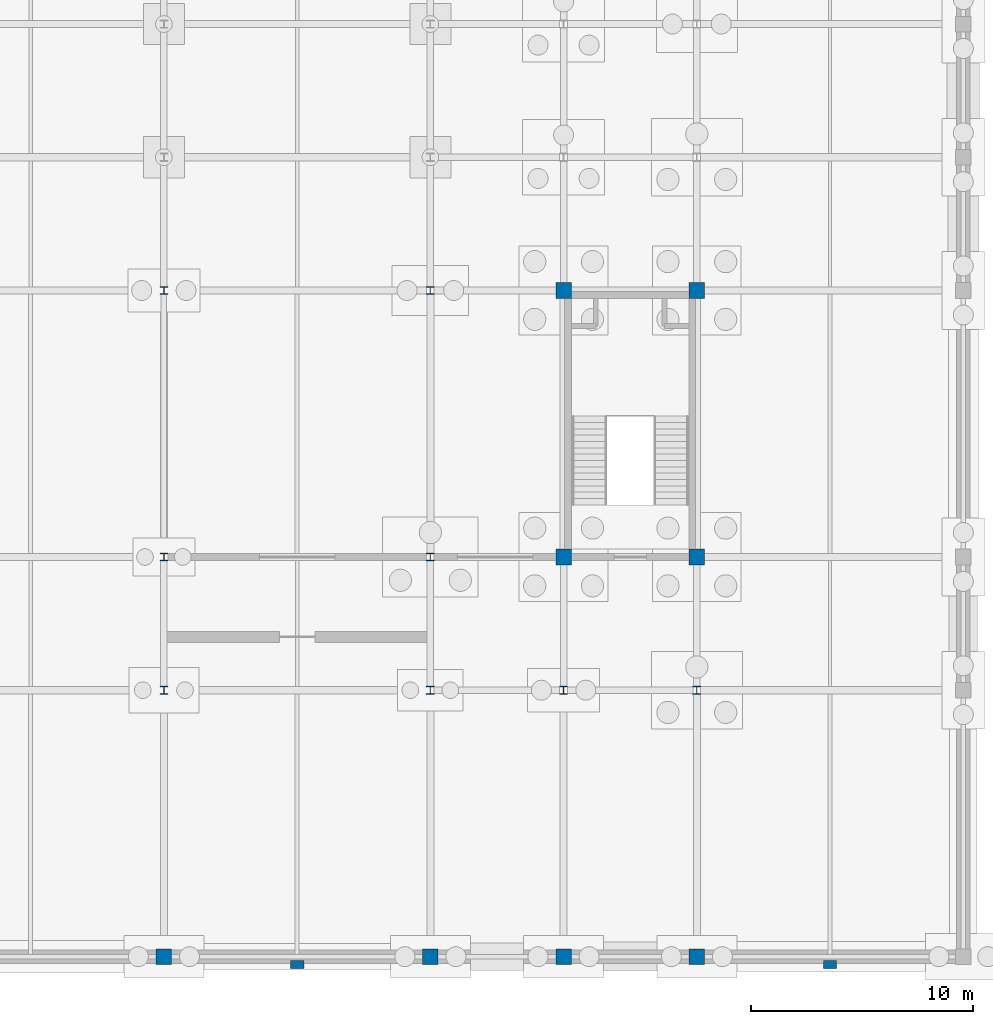
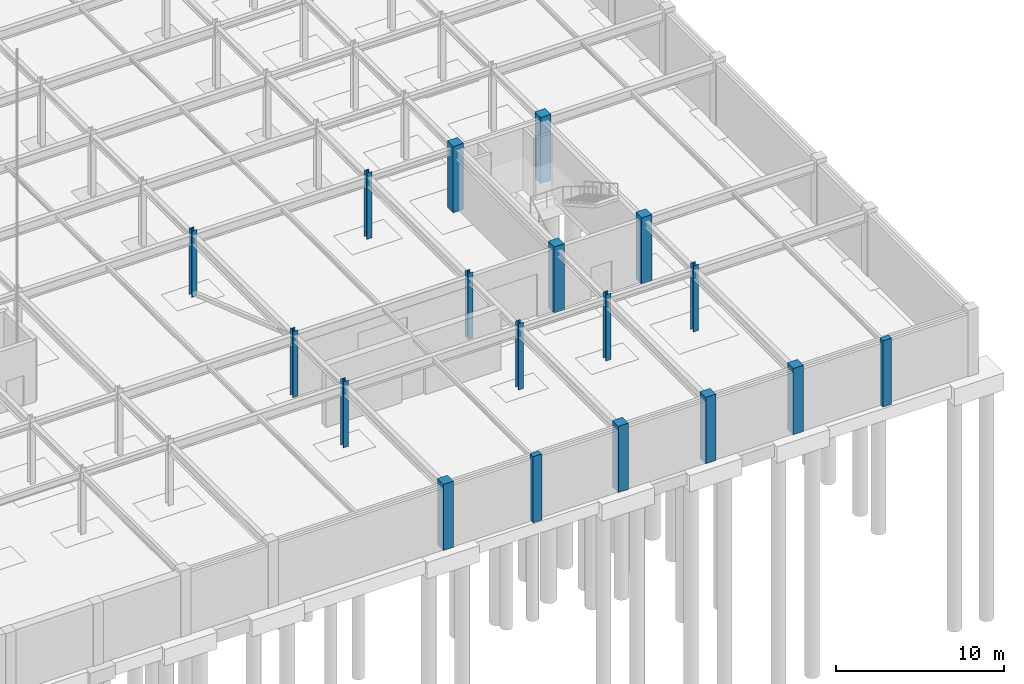
# One storey, part 29 of 69: 18 columns.
"""IFC4 building model written with IfcOpenShell, lengths in metres."""

from ifc_helpers import new_model, si_unit, direction, frame, origin, origin_2d, place, context, subcontext, project, spatial, rectangle, i_section, extrude, material, material_profile, profile_set, type_object, element, save


model = new_model("IFC4")

# Units and contexts
model_context = context("Model", 3, precision=1e-05, world=origin(), true_north=direction((0.0, 1.0)))
body_context = subcontext(model_context, "Body", "Model", "MODEL_VIEW")
ifc_project = project(units=[si_unit("LENGTHUNIT", "METRE"), si_unit("AREAUNIT", "SQUARE_METRE"), si_unit("VOLUMEUNIT", "CUBIC_METRE"), si_unit("PLANEANGLEUNIT", "RADIAN"), si_unit("MASSUNIT", "GRAM", prefix="KILO")], contexts=[model_context])

# Site, building, storey
site_placement = place(None, origin())
site = spatial("IfcSite", under=ifc_project, at=site_placement, CompositionType="ELEMENT")
building_placement = place(site_placement, origin())
building = spatial("IfcBuilding", under=site, at=building_placement, Name="Zlatovratsky Civic Hall", CompositionType="ELEMENT")
storey_placement = place(building_placement, frame((0.0, 0.0, -4.800048828125)))
storey = spatial("IfcBuildingStorey", under=building, at=storey_placement, Name="B1", CompositionType="ELEMENT", Elevation=-4.800048828125)

# Columns
ifc_material_1 = material(Name="Concrete C35/45 (B40)", Category="concrete")
ifc_material_profile_1 = material_profile(ifc_material_1, rectangle(XDim=0.699951171875, YDim=0.699951171875, at=origin_2d()), Name="RC 700x700")
ifc_profile_set_1 = profile_set([ifc_material_profile_1], Name="Concrete C35/45 (B40)")
column_type_1 = type_object("IfcColumnType", Name="Col_CorePier_RC700", PredefinedType="COLUMN", material=ifc_profile_set_1)
for number, where, z_axis, x_axis, name in (
    (1, (132.0, 0.0, 0.0), (0.0, 0.0, 1.0), (1.0, 0.0, 0.0), "CL-0021"),
    (2, (144.0, 0.0, 0.0), (0.0, 0.0, 1.0), (1.0, 0.0, 0.0), "CL-0022"),
    (3, (150.0, 0.0, 0.0), (0.0, 0.0, 1.0), (1.0, 0.0, 0.0), "CL-0023"),
    (4, (156.0, 0.0, 0.0), (0.0, 0.0, 1.0), (1.0, 0.0, 0.0), "CL-0024"),
    (5, (150.0, 18.0, 0.0), (0.0, 0.0, 1.0), (1.0, 0.0, 0.0), "CL-0069"),
    (6, (156.0, 18.0, 0.0), (0.0, 0.0, 1.0), (1.0, 0.0, 0.0), "CL-0070"),
    (7, (150.0, 30.0, 0.0), (0.0, 0.0, 1.0), (1.0, 0.0, 0.0), "CL-0092"),
    (8, (156.0, 30.0, 0.0), (0.0, 0.0, 1.0), (1.0, 0.0, 0.0), "CL-0093"),
):
    element("IfcColumn", number, at=place(storey_placement, frame(where, z_axis=z_axis, x_axis=x_axis)), inside=storey, type_object=column_type_1, Name=name, PredefinedType="COLUMN", context=body_context, shape_type="SweptSolid", body=[
        extrude(rectangle(XDim=0.699951171875, YDim=0.699951171875, at=origin_2d()), origin(), (0.0, 0.0, 1.0), 4.800048828125),
    ])
ifc_material_2 = material(Name="Steel S355", Category="steel")
ifc_material_profile_2 = material_profile(ifc_material_2, i_section(OverallWidth=0.35009765625, OverallDepth=0.35009765625, WebThickness=0.011962890625, FlangeThickness=0.01904296875, FilletRadius=0.02001953125, at=origin_2d()), Name="35K2")
ifc_profile_set_2 = profile_set([ifc_material_profile_2], Name="Steel S355")
column_type_2 = type_object("IfcColumnType", Name="Col_Steel_35K2", PredefinedType="COLUMN", material=ifc_profile_set_2)
for number, where, z_axis, x_axis, name in (
    (9, (132.0, 12.0, 0.0), (0.0, 0.0, 1.0), (1.0, 0.0, 0.0), "CL-0044"),
    (10, (144.0, 12.0, 0.0), (0.0, 0.0, 1.0), (1.0, 0.0, 0.0), "CL-0045"),
    (11, (150.0, 12.0, 0.0), (0.0, 0.0, 1.0), (1.0, 0.0, 0.0), "CL-0046"),
    (12, (156.0, 12.0, 0.0), (0.0, 0.0, 1.0), (1.0, 0.0, 0.0), "CL-0047"),
    (13, (132.0, 18.0, 0.0), (0.0, 0.0, 1.0), (1.0, 0.0, 0.0), "CL-0067"),
    (14, (144.0, 18.0, 0.0), (0.0, 0.0, 1.0), (1.0, 0.0, 0.0), "CL-0068"),
    (15, (132.0, 30.0, 0.0), (0.0, 0.0, 1.0), (1.0, 0.0, 0.0), "CL-0090"),
    (16, (144.0, 30.0, 0.0), (0.0, 0.0, 1.0), (1.0, 0.0, 0.0), "CL-0091"),
):
    element("IfcColumn", number, at=place(storey_placement, frame(where, z_axis=z_axis, x_axis=x_axis)), inside=storey, type_object=column_type_2, Name=name, PredefinedType="COLUMN", context=body_context, shape_type="SweptSolid", body=[
        extrude(i_section(OverallWidth=0.35009765625, OverallDepth=0.35009765625, WebThickness=0.011962890625, FlangeThickness=0.01904296875, FilletRadius=0.02001953125, at=origin_2d()), origin(), (0.0, 0.0, 1.0), 4.800048828125),
    ])
ifc_material_profile_3 = material_profile(ifc_material_1, rectangle(XDim=0.60009765625, YDim=0.360107421875, at=origin_2d()), Name="RC 600x360")
ifc_profile_set_3 = profile_set([ifc_material_profile_3], Name="Concrete C35/45 (B40)")
column_type_3 = type_object("IfcColumnType", Name="Pilaster_Classical_RC600x360", PredefinedType="PILASTER", material=ifc_profile_set_3)
for number, where, z_axis, x_axis, name in (
    (17, (138.0, -0.35009765625, 0.0), (0.0, 0.0, 1.0), (1.0, 0.0, 0.0), "CL-2717"),
    (18, (162.0, -0.35009765625, 0.0), (0.0, 0.0, 1.0), (1.0, 0.0, 0.0), "CL-2718"),
):
    element("IfcColumn", number, at=place(storey_placement, frame(where, z_axis=z_axis, x_axis=x_axis)), inside=storey, type_object=column_type_3, Name=name, PredefinedType="PILASTER", context=body_context, shape_type="SweptSolid", body=[
        extrude(rectangle(XDim=0.60009765625, YDim=0.360107421875, at=origin_2d()), origin(), (0.0, 0.0, 1.0), 4.800048828125),
    ])

save(model, "model.ifc")
